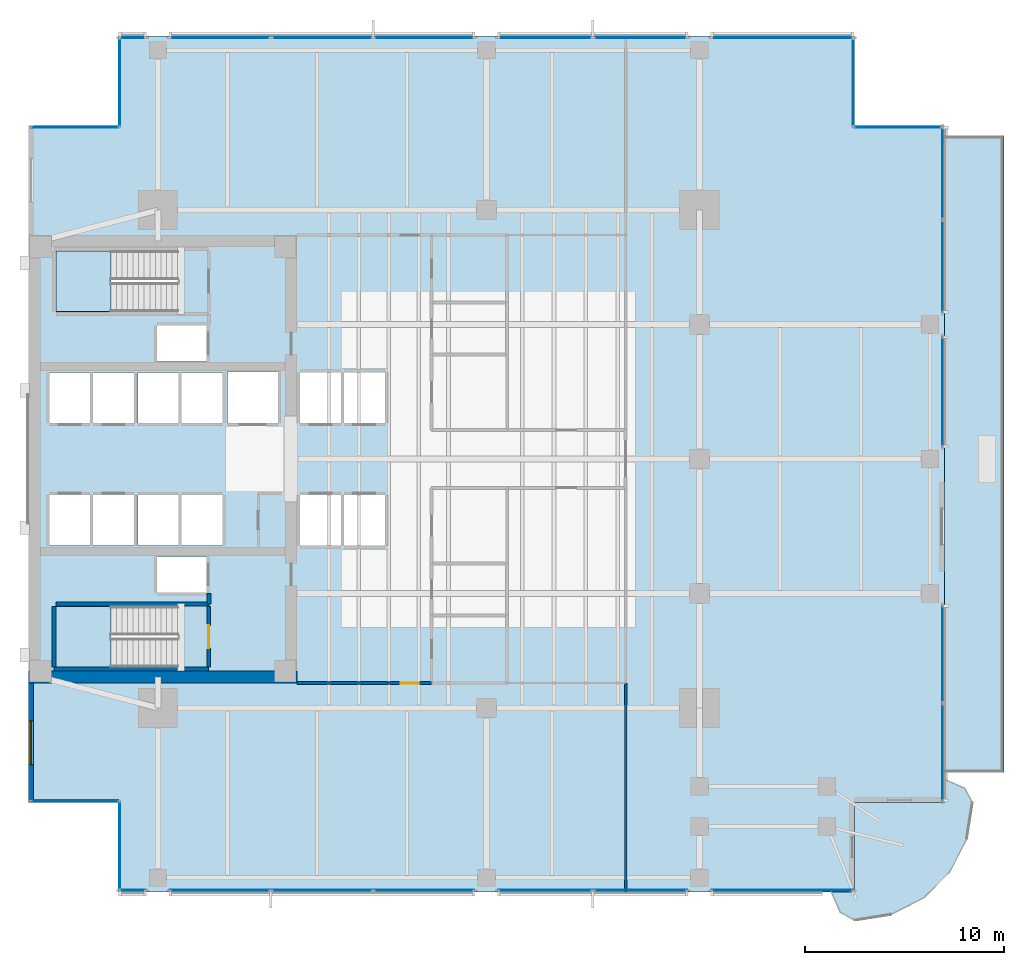
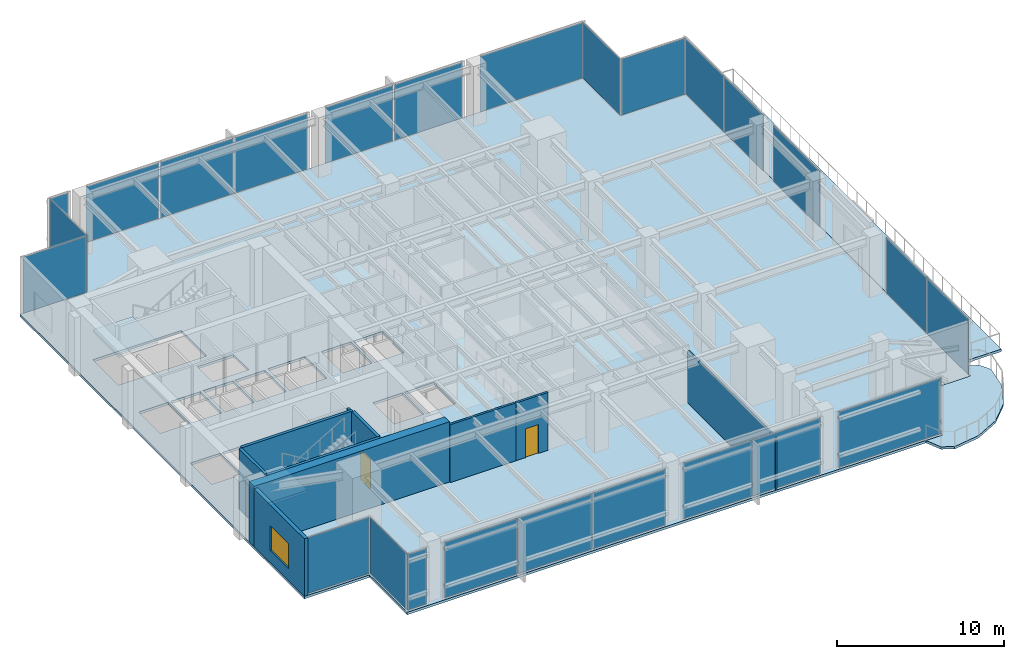
# One storey, part 7 of 14: 25 plates, 10 walls, 5 slabs, 2 doors, 1 window, 3 openings, 19 elements without a shape of their own.
"""IFC4 building model written with IfcOpenShell, lengths in metres."""

from ifc_helpers import new_model, si_unit, direction, frame, frame_2d, origin, origin_2d, place, context, subcontext, project, spatial, polyline, rectangle, outline, extrude, material, layer, layer_set, type_object, element, fill, aggregate, save


model = new_model("IFC4")

# Units and contexts
model_context = context("Model", 3, precision=1e-05, world=origin(), true_north=direction((0.0, 1.0)))
body_context = subcontext(model_context, "Body", "Model", "MODEL_VIEW")
ifc_project = project(units=[si_unit("LENGTHUNIT", "METRE"), si_unit("AREAUNIT", "SQUARE_METRE"), si_unit("VOLUMEUNIT", "CUBIC_METRE"), si_unit("PLANEANGLEUNIT", "RADIAN"), si_unit("MASSUNIT", "GRAM", prefix="KILO")], contexts=[model_context])

# Site, building, storey
site_placement = place(None, origin())
site = spatial("IfcSite", under=ifc_project, at=site_placement, CompositionType="ELEMENT")
building_placement = place(site_placement, origin())
building = spatial("IfcBuilding", under=site, at=building_placement, Name="Kinhvarn Gate Tower", CompositionType="ELEMENT")
storey_placement = place(building_placement, frame((0.0, 0.0, 97.85009765625)))
storey = spatial("IfcBuildingStorey", under=building, at=storey_placement, Name="L25", CompositionType="ELEMENT", Elevation=97.85009765625)

# Curtain wall, plate
ifc_material_1 = material(Name="Anodised aluminium AW-6063", Category="aluminium")
ifc_layer_1 = layer(ifc_material_1, 0.219970703125)
ifc_layer_set_1 = layer_set([ifc_layer_1], Name="Anodised aluminium AW-6063")
curtain_wall_type_1 = type_object("IfcCurtainWallType", Name="CW-SYS-5", PredefinedType="NOTDEFINED", material=ifc_layer_set_1)
curtain_wall_1_placement = place(storey_placement, origin())
curtain_wall_1 = element("IfcCurtainWall", 1, at=curtain_wall_1_placement, inside=storey, type_object=curtain_wall_type_1, Name="Curtain Wall CW5 (L25)", PredefinedType="NOTDEFINED")
ifc_material_2 = material(Name="Clear low-e double glazing", Category="glass")
ifc_layer_2 = layer(ifc_material_2, 0.031982421875)
ifc_layer_set_2 = layer_set([ifc_layer_2], Name="Clear low-e double glazing")
plate_type = type_object("IfcPlateType", Name="CW-PNL-VIS", PredefinedType="CURTAIN_PANEL", material=ifc_layer_set_2)
plate_1_placement = place(storey_placement, frame((9.735107421875, 3.590087890625, 0.079833984375), z_axis=(0.0, 0.0, 1.0), x_axis=(1.0, 0.0, 0.0)))
plate_1 = element("IfcPlate", 2, at=plate_1_placement, type_object=plate_type, Name="CW5 panel 1.1", PredefinedType="CURTAIN_PANEL", context=body_context, shape_type="SweptSolid", body=[
    extrude(rectangle(XDim=1.31005859375, YDim=0.031982421875, at=origin_2d()), origin(), (0.0, 0.0, 1.0), 4.06005859375),
])
aggregate(curtain_wall_1, [plate_1])

# Curtain wall, plates
curtain_wall_2_placement = place(storey_placement, origin())
curtain_wall_2 = element("IfcCurtainWall", 3, at=curtain_wall_2_placement, inside=storey, type_object=curtain_wall_type_1, Name="Curtain Wall CW5 (L25)", PredefinedType="NOTDEFINED")
plate_2_placement = place(storey_placement, frame((14.123291015625, 3.590087890625, 0.079833984375), z_axis=(0.0, 0.0, 1.0), x_axis=(1.0, 0.0, 0.0)))
plate_2 = element("IfcPlate", 4, at=plate_2_placement, type_object=plate_type, Name="CW5 panel 1.1", PredefinedType="CURTAIN_PANEL", context=body_context, shape_type="SweptSolid", body=[
    extrude(rectangle(XDim=5.026611328125, YDim=0.031982421875, at=origin_2d()), origin(), (0.0, 0.0, 1.0), 4.06005859375),
])
plate_3_placement = place(storey_placement, frame((19.25, 3.590087890625, 0.079833984375), z_axis=(0.0, 0.0, 1.0), x_axis=(1.0, 0.0, 0.0)))
plate_3 = element("IfcPlate", 5, at=plate_3_placement, type_object=plate_type, Name="CW5 panel 2.1", PredefinedType="CURTAIN_PANEL", context=body_context, shape_type="SweptSolid", body=[
    extrude(rectangle(XDim=5.066650390625, YDim=0.031982421875, at=origin_2d()), origin(), (0.0, 0.0, 1.0), 4.06005859375),
])
plate_4_placement = place(storey_placement, frame((24.376708984375, 3.590087890625, 0.079833984375), z_axis=(0.0, 0.0, 1.0), x_axis=(1.0, 0.0, 0.0)))
plate_4 = element("IfcPlate", 6, at=plate_4_placement, type_object=plate_type, Name="CW5 panel 3.1", PredefinedType="CURTAIN_PANEL", context=body_context, shape_type="SweptSolid", body=[
    extrude(rectangle(XDim=5.026611328125, YDim=0.031982421875, at=origin_2d()), origin(), (0.0, 0.0, 1.0), 4.06005859375),
])
aggregate(curtain_wall_2, [plate_2, plate_3, plate_4])

curtain_wall_3_placement = place(storey_placement, origin())
curtain_wall_3 = element("IfcCurtainWall", 7, at=curtain_wall_3_placement, inside=storey, type_object=curtain_wall_type_1, Name="Curtain Wall CW5 (L25)", PredefinedType="NOTDEFINED")
plate_5_placement = place(storey_placement, frame((30.4599609375, 3.590087890625, 0.079833984375), z_axis=(0.0, 0.0, 1.0), x_axis=(1.0, 0.0, 0.0)))
plate_5 = element("IfcPlate", 8, at=plate_5_placement, type_object=plate_type, Name="CW5 panel 1.1", PredefinedType="CURTAIN_PANEL", context=body_context, shape_type="SweptSolid", body=[
    extrude(rectangle(XDim=4.699951171875, YDim=0.031982421875, at=origin_2d()), origin(), (0.0, 0.0, 1.0), 4.06005859375),
])
plate_6_placement = place(storey_placement, frame((35.239990234375, 3.590087890625, 0.079833984375), z_axis=(0.0, 0.0, 1.0), x_axis=(1.0, 0.0, 0.0)))
plate_6 = element("IfcPlate", 9, at=plate_6_placement, type_object=plate_type, Name="CW5 panel 2.1", PredefinedType="CURTAIN_PANEL", context=body_context, shape_type="SweptSolid", body=[
    extrude(rectangle(XDim=4.699951171875, YDim=0.031982421875, at=origin_2d()), origin(), (0.0, 0.0, 1.0), 4.06005859375),
])
aggregate(curtain_wall_3, [plate_5, plate_6])

# Curtain wall, plate
curtain_wall_4_placement = place(storey_placement, origin())
curtain_wall_4 = element("IfcCurtainWall", 10, at=curtain_wall_4_placement, inside=storey, type_object=curtain_wall_type_1, Name="Curtain Wall CW5 (L25)", PredefinedType="NOTDEFINED")
plate_7_placement = place(storey_placement, frame((42.364990234375, 3.590087890625, 0.079833984375), z_axis=(0.0, 0.0, 1.0), x_axis=(1.0, 0.0, 0.0)))
plate_7 = element("IfcPlate", 11, at=plate_7_placement, type_object=plate_type, Name="CW5 panel 1.1", PredefinedType="CURTAIN_PANEL", context=body_context, shape_type="SweptSolid", body=[
    extrude(rectangle(XDim=7.110107421875, YDim=0.031982421875, at=origin_2d()), origin(), (0.0, 0.0, 1.0), 4.06005859375),
])
aggregate(curtain_wall_4, [plate_7])

curtain_wall_5_placement = place(storey_placement, origin())
curtain_wall_5 = element("IfcCurtainWall", 12, at=curtain_wall_5_placement, inside=storey, type_object=curtain_wall_type_1, Name="Curtain Wall CW5 (L25)", PredefinedType="NOTDEFINED")
plate_8_placement = place(storey_placement, frame((42.364990234375, 46.409912109375, 0.079833984375), z_axis=(0.0, 0.0, 1.0), x_axis=(-1.0, 0.0, 0.0)))
plate_8 = element("IfcPlate", 13, at=plate_8_placement, type_object=plate_type, Name="CW5 panel 1.1", PredefinedType="CURTAIN_PANEL", context=body_context, shape_type="SweptSolid", body=[
    extrude(rectangle(XDim=7.110107421875, YDim=0.031982421875, at=origin_2d()), origin(), (0.0, 0.0, 1.0), 4.06005859375),
])
aggregate(curtain_wall_5, [plate_8])

# Curtain wall, plates
curtain_wall_6_placement = place(storey_placement, origin())
curtain_wall_6 = element("IfcCurtainWall", 14, at=curtain_wall_6_placement, inside=storey, type_object=curtain_wall_type_1, Name="Curtain Wall CW5 (L25)", PredefinedType="NOTDEFINED")
plate_9_placement = place(storey_placement, frame((35.239990234375, 46.409912109375, 0.079833984375), z_axis=(0.0, 0.0, 1.0), x_axis=(-1.0, 0.0, 0.0)))
plate_9 = element("IfcPlate", 15, at=plate_9_placement, type_object=plate_type, Name="CW5 panel 1.1", PredefinedType="CURTAIN_PANEL", context=body_context, shape_type="SweptSolid", body=[
    extrude(rectangle(XDim=4.699951171875, YDim=0.031982421875, at=origin_2d()), origin(), (0.0, 0.0, 1.0), 4.06005859375),
])
plate_10_placement = place(storey_placement, frame((30.4599609375, 46.409912109375, 0.079833984375), z_axis=(0.0, 0.0, 1.0), x_axis=(-1.0, 0.0, 0.0)))
plate_10 = element("IfcPlate", 16, at=plate_10_placement, type_object=plate_type, Name="CW5 panel 2.1", PredefinedType="CURTAIN_PANEL", context=body_context, shape_type="SweptSolid", body=[
    extrude(rectangle(XDim=4.699951171875, YDim=0.031982421875, at=origin_2d()), origin(), (0.0, 0.0, 1.0), 4.06005859375),
])
aggregate(curtain_wall_6, [plate_9, plate_10])

curtain_wall_7_placement = place(storey_placement, origin())
curtain_wall_7 = element("IfcCurtainWall", 17, at=curtain_wall_7_placement, inside=storey, type_object=curtain_wall_type_1, Name="Curtain Wall CW5 (L25)", PredefinedType="NOTDEFINED")
plate_11_placement = place(storey_placement, frame((24.376708984375, 46.409912109375, 0.079833984375), z_axis=(0.0, 0.0, 1.0), x_axis=(-1.0, 0.0, 0.0)))
plate_11 = element("IfcPlate", 18, at=plate_11_placement, type_object=plate_type, Name="CW5 panel 1.1", PredefinedType="CURTAIN_PANEL", context=body_context, shape_type="SweptSolid", body=[
    extrude(rectangle(XDim=5.026611328125, YDim=0.031982421875, at=origin_2d()), origin(), (0.0, 0.0, 1.0), 4.06005859375),
])
plate_12_placement = place(storey_placement, frame((19.25, 46.409912109375, 0.079833984375), z_axis=(0.0, 0.0, 1.0), x_axis=(-1.0, 0.0, 0.0)))
plate_12 = element("IfcPlate", 19, at=plate_12_placement, type_object=plate_type, Name="CW5 panel 2.1", PredefinedType="CURTAIN_PANEL", context=body_context, shape_type="SweptSolid", body=[
    extrude(rectangle(XDim=5.066650390625, YDim=0.031982421875, at=origin_2d()), origin(), (0.0, 0.0, 1.0), 4.06005859375),
])
plate_13_placement = place(storey_placement, frame((14.123291015625, 46.409912109375, 0.079833984375), z_axis=(0.0, 0.0, 1.0), x_axis=(-1.0, 0.0, 0.0)))
plate_13 = element("IfcPlate", 20, at=plate_13_placement, type_object=plate_type, Name="CW5 panel 3.1", PredefinedType="CURTAIN_PANEL", context=body_context, shape_type="SweptSolid", body=[
    extrude(rectangle(XDim=5.026611328125, YDim=0.031982421875, at=origin_2d()), origin(), (0.0, 0.0, 1.0), 4.06005859375),
])
aggregate(curtain_wall_7, [plate_11, plate_12, plate_13])

# Curtain wall, plate
curtain_wall_8_placement = place(storey_placement, origin())
curtain_wall_8 = element("IfcCurtainWall", 21, at=curtain_wall_8_placement, inside=storey, type_object=curtain_wall_type_1, Name="Curtain Wall CW5 (L25)", PredefinedType="NOTDEFINED")
plate_14_placement = place(storey_placement, frame((9.735107421875, 46.409912109375, 0.079833984375), z_axis=(0.0, 0.0, 1.0), x_axis=(-1.0, 0.0, 0.0)))
plate_14 = element("IfcPlate", 22, at=plate_14_placement, type_object=plate_type, Name="CW5 panel 1.1", PredefinedType="CURTAIN_PANEL", context=body_context, shape_type="SweptSolid", body=[
    extrude(rectangle(XDim=1.31005859375, YDim=0.031982421875, at=origin_2d()), origin(), (0.0, 0.0, 1.0), 4.06005859375),
])
aggregate(curtain_wall_8, [plate_14])

# Curtain wall, plates
curtain_wall_9_placement = place(storey_placement, origin())
curtain_wall_9 = element("IfcCurtainWall", 23, at=curtain_wall_9_placement, inside=storey, type_object=curtain_wall_type_1, Name="Curtain Wall CW5 (L25)", PredefinedType="NOTDEFINED")
plate_15_placement = place(storey_placement, frame((50.409912109375, 10.512451171875, 0.079833984375), z_axis=(0.0, 0.0, 1.0), x_axis=(0.0, 1.0, 0.0)))
plate_15 = element("IfcPlate", 24, at=plate_15_placement, type_object=plate_type, Name="CW5 panel 1.1", PredefinedType="CURTAIN_PANEL", context=body_context, shape_type="SweptSolid", body=[
    extrude(rectangle(XDim=4.864990234375, YDim=0.031982421875, at=origin_2d()), origin(), (0.0, 0.0, 1.0), 4.06005859375),
])
plate_16_placement = place(storey_placement, frame((50.409912109375, 15.45751953125, 0.079833984375), z_axis=(0.0, 0.0, 1.0), x_axis=(0.0, 1.0, 0.0)))
plate_16 = element("IfcPlate", 25, at=plate_16_placement, type_object=plate_type, Name="CW5 panel 2.1", PredefinedType="CURTAIN_PANEL", context=body_context, shape_type="SweptSolid", body=[
    extrude(rectangle(XDim=4.864990234375, YDim=0.031982421875, at=origin_2d()), origin(), (0.0, 0.0, 1.0), 4.06005859375),
])
aggregate(curtain_wall_9, [plate_15, plate_16])

# Curtain wall, plate
curtain_wall_10_placement = place(storey_placement, origin())
curtain_wall_10 = element("IfcCurtainWall", 26, at=curtain_wall_10_placement, inside=storey, type_object=curtain_wall_type_1, Name="Curtain Wall CW5 (L25)", PredefinedType="NOTDEFINED")
plate_17_placement = place(storey_placement, frame((50.409912109375, 28.625, 0.079833984375), z_axis=(0.0, 0.0, 1.0), x_axis=(0.0, 1.0, 0.0)))
plate_17 = element("IfcPlate", 27, at=plate_17_placement, type_object=plate_type, Name="CW5 panel 1.1", PredefinedType="CURTAIN_PANEL", context=body_context, shape_type="SweptSolid", body=[
    extrude(rectangle(XDim=5.530029296875, YDim=0.031982421875, at=origin_2d()), origin(), (0.0, 0.0, 1.0), 4.06005859375),
])
aggregate(curtain_wall_10, [plate_17])

# Curtain wall, plates
curtain_wall_11_placement = place(storey_placement, origin())
curtain_wall_11 = element("IfcCurtainWall", 28, at=curtain_wall_11_placement, inside=storey, type_object=curtain_wall_type_1, Name="Curtain Wall CW5 (L25)", PredefinedType="NOTDEFINED")
plate_18_placement = place(storey_placement, frame((50.409912109375, 34.91748046875, 0.079833984375), z_axis=(0.0, 0.0, 1.0), x_axis=(0.0, 1.0, 0.0)))
plate_18 = element("IfcPlate", 29, at=plate_18_placement, type_object=plate_type, Name="CW5 panel 1.1", PredefinedType="CURTAIN_PANEL", context=body_context, shape_type="SweptSolid", body=[
    extrude(rectangle(XDim=4.614990234375, YDim=0.031982421875, at=origin_2d()), origin(), (0.0, 0.0, 1.0), 4.06005859375),
])
plate_19_placement = place(storey_placement, frame((50.409912109375, 39.612548828125, 0.079833984375), z_axis=(0.0, 0.0, 1.0), x_axis=(0.0, 1.0, 0.0)))
plate_19 = element("IfcPlate", 30, at=plate_19_placement, type_object=plate_type, Name="CW5 panel 2.1", PredefinedType="CURTAIN_PANEL", context=body_context, shape_type="SweptSolid", body=[
    extrude(rectangle(XDim=4.614990234375, YDim=0.031982421875, at=origin_2d()), origin(), (0.0, 0.0, 1.0), 4.06005859375),
])
aggregate(curtain_wall_11, [plate_18, plate_19])

# Curtain wall, plate
ifc_layer_3 = layer(ifc_material_1, 0.179931640625)
ifc_layer_set_3 = layer_set([ifc_layer_3], Name="Anodised aluminium AW-6063")
curtain_wall_type_2 = type_object("IfcCurtainWallType", Name="CW-SYS-4", PredefinedType="NOTDEFINED", material=ifc_layer_set_3)
curtain_wall_12_placement = place(storey_placement, origin())
curtain_wall_12 = element("IfcCurtainWall", 31, at=curtain_wall_12_placement, inside=storey, type_object=curtain_wall_type_2, Name="Curtain Wall CW4 (L25)", PredefinedType="NOTDEFINED")
plate_20_placement = place(storey_placement, frame((6.840087890625, 8.090087890625, 0.06494140625), z_axis=(0.0, 0.0, 1.0), x_axis=(1.0, 0.0, 0.0)))
plate_20 = element("IfcPlate", 32, at=plate_20_placement, type_object=plate_type, Name="CW4 panel 1.1", PredefinedType="CURTAIN_PANEL", context=body_context, shape_type="SweptSolid", body=[
    extrude(rectangle(XDim=4.3701171875, YDim=0.031982421875, at=origin_2d()), origin(), (0.0, 0.0, 1.0), 4.090087890625),
])
aggregate(curtain_wall_12, [plate_20])

curtain_wall_13_placement = place(storey_placement, origin())
curtain_wall_13 = element("IfcCurtainWall", 33, at=curtain_wall_13_placement, inside=storey, type_object=curtain_wall_type_2, Name="Curtain Wall CW4 (L25)", PredefinedType="NOTDEFINED")
plate_21_placement = place(storey_placement, frame((9.090087890625, 5.840087890625, 0.06494140625), z_axis=(0.0, 0.0, 1.0), x_axis=(0.0, -1.0, 0.0)))
plate_21 = element("IfcPlate", 34, at=plate_21_placement, type_object=plate_type, Name="CW4 panel 1.1", PredefinedType="CURTAIN_PANEL", context=body_context, shape_type="SweptSolid", body=[
    extrude(rectangle(XDim=4.3701171875, YDim=0.031982421875, at=origin_2d()), origin(), (0.0, 0.0, 1.0), 4.090087890625),
])
aggregate(curtain_wall_13, [plate_21])

curtain_wall_14_placement = place(storey_placement, origin())
curtain_wall_14 = element("IfcCurtainWall", 35, at=curtain_wall_14_placement, inside=storey, type_object=curtain_wall_type_2, Name="Curtain Wall CW4 (L25)", PredefinedType="NOTDEFINED")
plate_22_placement = place(storey_placement, frame((48.159912109375, 41.909912109375, 0.06494140625), z_axis=(0.0, 0.0, 1.0), x_axis=(-1.0, 0.0, 0.0)))
plate_22 = element("IfcPlate", 36, at=plate_22_placement, type_object=plate_type, Name="CW4 panel 1.1", PredefinedType="CURTAIN_PANEL", context=body_context, shape_type="SweptSolid", body=[
    extrude(rectangle(XDim=4.3701171875, YDim=0.031982421875, at=origin_2d()), origin(), (0.0, 0.0, 1.0), 4.090087890625),
])
aggregate(curtain_wall_14, [plate_22])

curtain_wall_15_placement = place(storey_placement, origin())
curtain_wall_15 = element("IfcCurtainWall", 37, at=curtain_wall_15_placement, inside=storey, type_object=curtain_wall_type_2, Name="Curtain Wall CW4 (L25)", PredefinedType="NOTDEFINED")
plate_23_placement = place(storey_placement, frame((45.909912109375, 44.159912109375, 0.06494140625), z_axis=(0.0, 0.0, 1.0), x_axis=(0.0, 1.0, 0.0)))
plate_23 = element("IfcPlate", 38, at=plate_23_placement, type_object=plate_type, Name="CW4 panel 1.1", PredefinedType="CURTAIN_PANEL", context=body_context, shape_type="SweptSolid", body=[
    extrude(rectangle(XDim=4.3701171875, YDim=0.031982421875, at=origin_2d()), origin(), (0.0, 0.0, 1.0), 4.090087890625),
])
aggregate(curtain_wall_15, [plate_23])

curtain_wall_16_placement = place(storey_placement, origin())
curtain_wall_16 = element("IfcCurtainWall", 39, at=curtain_wall_16_placement, inside=storey, type_object=curtain_wall_type_2, Name="Curtain Wall CW4 (L25)", PredefinedType="NOTDEFINED")
plate_24_placement = place(storey_placement, frame((9.090087890625, 44.159912109375, 0.06494140625), z_axis=(0.0, 0.0, 1.0), x_axis=(0.0, -1.0, 0.0)))
plate_24 = element("IfcPlate", 40, at=plate_24_placement, type_object=plate_type, Name="CW4 panel 1.1", PredefinedType="CURTAIN_PANEL", context=body_context, shape_type="SweptSolid", body=[
    extrude(rectangle(XDim=4.3701171875, YDim=0.031982421875, at=origin_2d()), origin(), (0.0, 0.0, 1.0), 4.090087890625),
])
aggregate(curtain_wall_16, [plate_24])

curtain_wall_17_placement = place(storey_placement, origin())
curtain_wall_17 = element("IfcCurtainWall", 41, at=curtain_wall_17_placement, inside=storey, type_object=curtain_wall_type_2, Name="Curtain Wall CW4 (L25)", PredefinedType="NOTDEFINED")
plate_25_placement = place(storey_placement, frame((6.840087890625, 41.909912109375, 0.06494140625), z_axis=(0.0, 0.0, 1.0), x_axis=(-1.0, 0.0, 0.0)))
plate_25 = element("IfcPlate", 42, at=plate_25_placement, type_object=plate_type, Name="CW4 panel 1.1", PredefinedType="CURTAIN_PANEL", context=body_context, shape_type="SweptSolid", body=[
    extrude(rectangle(XDim=4.3701171875, YDim=0.031982421875, at=origin_2d()), origin(), (0.0, 0.0, 1.0), 4.090087890625),
])
aggregate(curtain_wall_17, [plate_25])

# Slabs
ifc_material_3 = material(Name="Precast white architectural concrete C40/50", Category="concrete")
ifc_layer_4 = layer(ifc_material_3, 0.179931640625)
ifc_layer_set_4 = layer_set([ifc_layer_4], Name="Precast white architectural concrete C40/50")
slab_type_1 = type_object("IfcSlabType", Name="SLB-BAL-180", PredefinedType="FLOOR", material=ifc_layer_set_4)
slab_1_placement = place(storey_placement, frame((0.0, 0.0, -0.18017578125)))
element("IfcSlab", 43, at=slab_1_placement, inside=storey, type_object=slab_type_1, Name="S-Carve Curved Terrace Balcony Slab L25 (SE)", PredefinedType="FLOOR", context=body_context, shape_type="SweptSolid", body=[
    extrude(outline(polyline([(44.8291015625, 3.5), (45.279052734375, 2.4833984375), (46.0, 2.087890625), (47.826904296875, 2.37744140625), (49.47509765625, 3.217041015625), (50.782958984375, 4.52490234375), (51.62255859375, 6.173095703125), (51.912109375, 8.0), (51.5166015625, 8.720947265625), (50.5, 9.1708984375), (50.5, 8.0), (46.0, 8.0), (46.0, 3.5), (44.8291015625, 3.5)])), origin(), (0.0, 0.0, 1.0), 0.18017578125),
])
ifc_material_4 = material(Name="Concrete C40/50", Category="concrete")
ifc_layer_5 = layer(ifc_material_4, 0.179931640625)
ifc_layer_set_5 = layer_set([ifc_layer_5], Name="Concrete C40/50")
slab_type_2 = type_object("IfcSlabType", Name="SLB-FLR-180", PredefinedType="FLOOR", material=ifc_layer_set_5)
slab_2_placement = place(storey_placement, frame((0.0, 0.0, -0.18017578125)))
element("IfcSlab", 44, at=slab_2_placement, inside=storey, type_object=slab_type_2, Name="Suspended Floor Slab L25", PredefinedType="FLOOR", context=body_context, shape_type="SweptSolid", body=[
    extrude(outline(polyline([(9.0, 3.5), (46.0, 3.5), (46.0, 8.0), (50.5, 8.0), (50.5, 42.0), (46.0, 42.0), (46.0, 46.5), (9.0, 46.5), (9.0, 42.0), (4.5, 42.0), (4.5, 8.0), (9.0, 8.0), (9.0, 3.5)]), holes=[polyline([(5.89990234375, 14.800048828125), (12.0, 14.800048828125), (12.0, 17.85009765625), (5.89990234375, 17.85009765625), (5.89990234375, 14.800048828125)]), polyline([(5.89990234375, 32.64990234375), (12.0, 32.64990234375), (12.0, 35.699951171875), (5.89990234375, 35.699951171875), (5.89990234375, 32.64990234375)]), polyline([(18.14990234375, 20.89990234375), (20.199951171875, 20.89990234375), (20.199951171875, 23.449951171875), (18.14990234375, 23.449951171875), (18.14990234375, 20.89990234375)]), polyline([(20.35009765625, 20.89990234375), (22.39990234375, 20.89990234375), (22.39990234375, 23.449951171875), (20.35009765625, 23.449951171875), (20.35009765625, 20.89990234375)]), polyline([(18.14990234375, 27.050048828125), (20.199951171875, 27.050048828125), (20.199951171875, 29.60009765625), (18.14990234375, 29.60009765625), (18.14990234375, 27.050048828125)]), polyline([(20.35009765625, 27.050048828125), (22.39990234375, 27.050048828125), (22.39990234375, 29.60009765625), (20.35009765625, 29.60009765625), (20.35009765625, 27.050048828125)]), polyline([(5.550048828125, 20.89990234375), (7.60009765625, 20.89990234375), (7.60009765625, 23.449951171875), (5.550048828125, 23.449951171875), (5.550048828125, 20.89990234375)]), polyline([(7.75, 20.89990234375), (9.800048828125, 20.89990234375), (9.800048828125, 23.449951171875), (7.75, 23.449951171875), (7.75, 20.89990234375)]), polyline([(5.550048828125, 27.050048828125), (7.60009765625, 27.050048828125), (7.60009765625, 29.60009765625), (5.550048828125, 29.60009765625), (5.550048828125, 27.050048828125)]), polyline([(7.75, 27.050048828125), (9.800048828125, 27.050048828125), (9.800048828125, 29.60009765625), (7.75, 29.60009765625), (7.75, 27.050048828125)]), polyline([(10.0, 20.89990234375), (12.050048828125, 20.89990234375), (12.050048828125, 23.449951171875), (10.0, 23.449951171875), (10.0, 20.89990234375)]), polyline([(12.199951171875, 20.89990234375), (14.25, 20.89990234375), (14.25, 23.449951171875), (12.199951171875, 23.449951171875), (12.199951171875, 20.89990234375)]), polyline([(10.0, 27.050048828125), (12.050048828125, 27.050048828125), (12.050048828125, 29.60009765625), (10.0, 29.60009765625), (10.0, 27.050048828125)]), polyline([(12.199951171875, 27.050048828125), (14.25, 27.050048828125), (14.25, 29.60009765625), (12.199951171875, 29.60009765625), (12.199951171875, 27.050048828125)]), polyline([(14.5, 27.050048828125), (17.050048828125, 27.050048828125), (17.050048828125, 29.64990234375), (14.5, 29.64990234375), (14.5, 27.050048828125)]), polyline([(10.949951171875, 18.550048828125), (13.449951171875, 18.550048828125), (13.449951171875, 20.35009765625), (10.949951171875, 20.35009765625), (10.949951171875, 18.550048828125)]), polyline([(10.949951171875, 30.14990234375), (13.449951171875, 30.14990234375), (13.449951171875, 31.949951171875), (10.949951171875, 31.949951171875), (10.949951171875, 30.14990234375)])]), origin(), (0.0, 0.0, 1.0), 0.18017578125),
])

# Stair, slab
stair_type = type_object("IfcStairType", Name="STR-DLG-169", PredefinedType="HALF_TURN_STAIR", material=ifc_material_4)
stair_1_placement = place(storey_placement, origin())
stair_1 = element("IfcStair", 45, at=stair_1_placement, inside=storey, type_object=stair_type, Name="L25 Core Smokeproof Exit Stair ST1", PredefinedType="HALF_TURN_STAIR")
ifc_layer_6 = layer(ifc_material_4, 0.199951171875)
ifc_layer_set_6 = layer_set([ifc_layer_6], Name="Concrete C40/50")
slab_type_3 = type_object("IfcSlabType", Name="SLB-ST-LND", PredefinedType="LANDING", material=ifc_layer_set_6)
slab_3_placement = place(storey_placement, frame((0.0, 0.0, 2.0)))
slab_3 = element("IfcSlab", 46, at=slab_3_placement, type_object=slab_type_3, Name="ST1 landing 1", PredefinedType="LANDING", context=body_context, shape_type="SweptSolid", body=[
    extrude(outline(polyline([(8.639892578125, 17.85009765625), (5.89990234375, 17.85009765625), (5.89990234375, 14.800048828125), (8.639892578125, 14.800048828125), (8.639892578125, 17.85009765625)])), origin(), (0.0, 0.0, 1.0), 0.199951171875),
])
aggregate(stair_1, [slab_3])

stair_2_placement = place(storey_placement, origin())
stair_2 = element("IfcStair", 47, at=stair_2_placement, inside=storey, type_object=stair_type, Name="L25 Core Smokeproof Exit Stair ST2", PredefinedType="HALF_TURN_STAIR")
slab_4_placement = place(storey_placement, frame((0.0, 0.0, 2.0)))
slab_4 = element("IfcSlab", 48, at=slab_4_placement, type_object=slab_type_3, Name="ST2 landing 1", PredefinedType="LANDING", context=body_context, shape_type="SweptSolid", body=[
    extrude(outline(polyline([(8.639892578125, 35.699951171875), (5.89990234375, 35.699951171875), (5.89990234375, 32.64990234375), (8.639892578125, 32.64990234375), (8.639892578125, 35.699951171875)])), origin(), (0.0, 0.0, 1.0), 0.199951171875),
])
aggregate(stair_2, [slab_4])

# Slab
ifc_layer_7 = layer(ifc_material_4, 0.179931640625)
ifc_layer_set_7 = layer_set([ifc_layer_7], Name="Concrete C40/50")
slab_type_4 = type_object("IfcSlabType", Name="SLB-TER-180", PredefinedType="ROOF", material=ifc_layer_set_7)
slab_5_placement = place(storey_placement, frame((0.0, 0.0, -0.18017578125)))
element("IfcSlab", 49, at=slab_5_placement, inside=storey, type_object=slab_type_4, Name="Low-Mid Sky-Lobby Setback Terrace Roof Slab L25", PredefinedType="ROOF", context=body_context, shape_type="SweptSolid", body=[
    extrude(outline(polyline([(50.5, 9.5), (53.5, 9.5), (53.5, 41.5), (50.5, 41.5), (50.5, 9.5)])), origin(), (0.0, 0.0, 1.0), 0.18017578125),
])

# Wall
ifc_material_5 = material(Name="Concrete C60/75", Category="concrete")
ifc_layer_8 = layer(ifc_material_5, 0.60009765625)
ifc_layer_set_8 = layer_set([ifc_layer_8], Name="Concrete C60/75")
wall_type_1 = type_object("IfcWallType", Name="WL-CORE-600", PredefinedType="SHEAR", material=ifc_layer_set_8)
wall_1_placement = place(storey_placement, frame((4.5, 14.300048828125, 0.0), z_axis=(0.0, 0.0, 1.0), x_axis=(1.0, 0.0, 0.0)))
element("IfcWall", 50, at=wall_1_placement, inside=storey, type_object=wall_type_1, Name="Core South Shear Wall L25 600 mm", PredefinedType="SHEAR", context=body_context, shape_type="SweptSolid", body=[
    extrude(rectangle(XDim=13.5, YDim=0.60009765625, at=frame_2d((6.75, 0.0))), origin(), (0.0, 0.0, 1.0), 4.39990234375),
])

# Wall, opening, window
ifc_material_6 = material(Name="Fired architectural terracotta", Category="masonry")
ifc_layer_9 = layer(ifc_material_6, 0.25)
ifc_layer_set_9 = layer_set([ifc_layer_9], Name="Fired architectural terracotta")
wall_type_2 = type_object("IfcWallType", Name="WL-EXT-250", PredefinedType="SOLIDWALL", material=ifc_layer_set_9)
wall_2_placement = place(storey_placement, frame((4.625, 14.0, 0.0), z_axis=(0.0, 0.0, 1.0), x_axis=(0.0, -1.0, 0.0)))
wall_2 = element("IfcWall", 51, at=wall_2_placement, inside=storey, type_object=wall_type_2, Name="Exterior Solidwall Wall EW-250 (L25 West-South)", PredefinedType="SOLIDWALL", context=body_context, shape_type="SweptSolid", body=[
    extrude(rectangle(XDim=6.0, YDim=0.25, at=frame_2d((3.0, 0.0))), origin(), (0.0, 0.0, 1.0), 4.219970703125),
])
opening_1_placement = place(wall_2_placement, frame((1.89990234375, 0.0, 0.89990234375)))
opening_1 = element("IfcOpeningElement", 52, at=opening_1_placement, cuts=wall_2, Name="Opening WN-01", PredefinedType="OPENING", context=body_context, shape_type="SweptSolid", body=[
    extrude(rectangle(XDim=2.199951171875, YDim=1.800048828125, at=frame_2d((1.10009765625, 0.89990234375))), frame((0.0, 0.135009765625, 0.0), z_axis=(0.0, -1.0, 0.0), x_axis=(1.0, 0.0, 0.0)), (0.0, 0.0, 1.0), 0.27001953125),
])
window_type = type_object("IfcWindowType", Name="WIN-RIB-2200", PartitioningType="SINGLE_PANEL", PredefinedType="WINDOW", material=ifc_material_2)
window_placement = place(opening_1_placement, origin())
window = element("IfcWindow", 53, at=window_placement, inside=storey, type_object=window_type, Name="West Flank Double-Glazed Ribbon Window 2200x1800 mm (L25)", OverallHeight=1.800048828125, OverallWidth=2.199951171875, PartitioningType="SINGLE_PANEL", PredefinedType="WINDOW", context=body_context, shape_type="SweptSolid", body=[
    extrude(rectangle(XDim=2.199951171875, YDim=1.800048828125, at=frame_2d((1.10009765625, 0.89990234375))), frame((0.0, 0.030029296875, 0.0), z_axis=(0.0, -1.0, 0.0), x_axis=(1.0, 0.0, 0.0)), (0.0, 0.0, 1.0), 0.06005859375),
])
fill(opening_1, window)

# Walls
ifc_material_7 = material(Name="Gypsum acoustic partition board")
ifc_layer_10 = layer(ifc_material_7, 0.1201171875)
ifc_layer_set_10 = layer_set([ifc_layer_10], Name="Gypsum acoustic partition board")
wall_type_3 = type_object("IfcWallType", Name="WL-PRT-120", PredefinedType="PARTITIONING", material=ifc_layer_set_10)
wall_3_placement = place(storey_placement, frame((34.5, 3.510009765625, 0.0), z_axis=(0.0, 0.0, 1.0), x_axis=(0.0, 1.0, 0.0)))
element("IfcWall", 54, at=wall_3_placement, inside=storey, type_object=wall_type_3, Name="Interior Partition PW-120 (L25)", PredefinedType="PARTITIONING", context=body_context, shape_type="SweptSolid", body=[
    extrude(rectangle(XDim=10.489990234375, YDim=0.1201171875, at=frame_2d((5.2451171875, 0.0))), origin(), (0.0, 0.0, 1.0), 3.81982421875),
])
ifc_layer_11 = layer(ifc_material_7, 0.14990234375)
ifc_layer_set_11 = layer_set([ifc_layer_11], Name="Gypsum acoustic partition board")
wall_type_4 = type_object("IfcWallType", Name="WL-PRT-150F", PredefinedType="PARTITIONING", material=ifc_layer_set_11)
wall_4_placement = place(storey_placement, frame((18.0, 14.0, 0.0), z_axis=(0.0, 0.0, 1.0), x_axis=(1.0, 0.0, 0.0)))
element("IfcWall", 55, at=wall_4_placement, inside=storey, type_object=wall_type_4, Name="Interior Partition PW-150F (L25)", PredefinedType="PARTITIONING", context=body_context, shape_type="SweptSolid", body=[
    extrude(rectangle(XDim=4.550048828125, YDim=0.14990234375, at=frame_2d((2.27490234375, 0.0))), origin(), (0.0, 0.0, 1.0), 4.219970703125),
])

# Wall, opening, door
wall_5_placement = place(storey_placement, frame((22.550048828125, 14.0, 0.0), z_axis=(0.0, 0.0, 1.0), x_axis=(1.0, 0.0, 0.0)))
wall_5 = element("IfcWall", 56, at=wall_5_placement, inside=storey, type_object=wall_type_4, Name="Interior Partition PW-150F (L25)", PredefinedType="PARTITIONING", context=body_context, shape_type="SweptSolid", body=[
    extrude(rectangle(XDim=2.199951171875, YDim=0.14990234375, at=frame_2d((1.10009765625, 0.0))), origin(), (0.0, 0.0, 1.0), 4.219970703125),
])
opening_2_placement = place(wall_5_placement, frame((0.64990234375, 0.0, 0.0)))
opening_2 = element("IfcOpeningElement", 57, at=opening_2_placement, cuts=wall_5, Name="Opening ID-03", PredefinedType="OPENING", context=body_context, shape_type="SweptSolid", body=[
    extrude(rectangle(XDim=0.89990234375, YDim=2.10009765625, at=frame_2d((0.449951171875, 1.050048828125))), frame((0.0, 0.0849609375, 0.0), z_axis=(0.0, -1.0, 0.0), x_axis=(1.0, 0.0, 0.0)), (0.0, 0.0, 1.0), 0.169921875),
])
door_type_1 = type_object("IfcDoorType", Name="DR-INT-900", OperationType="NOTDEFINED", PredefinedType="DOOR", material=ifc_material_1)
door_1_placement = place(opening_2_placement, origin())
door_1 = element("IfcDoor", 58, at=door_1_placement, inside=storey, type_object=door_type_1, Name="Cellular Office & Restroom Door 900x2100 mm (L25)", OperationType="SINGLE_SWING_LEFT", OverallHeight=2.10009765625, OverallWidth=0.89990234375, PredefinedType="DOOR", context=body_context, shape_type="SweptSolid", body=[
    extrude(rectangle(XDim=0.89990234375, YDim=2.10009765625, at=frame_2d((0.449951171875, 1.050048828125))), frame((0.0, 0.02490234375, 0.0), z_axis=(0.0, -1.0, 0.0), x_axis=(1.0, 0.0, 0.0)), (0.0, 0.0, 1.0), 0.050048828125),
])
fill(opening_2, door_1)

# Walls
ifc_layer_12 = layer(ifc_material_7, 0.199951171875)
ifc_layer_set_12 = layer_set([ifc_layer_12], Name="Gypsum acoustic partition board")
wall_type_5 = type_object("IfcWallType", Name="WL-PRT-200", PredefinedType="PARTITIONING", material=ifc_layer_set_12)
wall_6_placement = place(storey_placement, frame((13.580078125, 17.9599609375, 0.0), z_axis=(0.0, 0.0, 1.0), x_axis=(0.0, 1.0, 0.0)))
element("IfcWall", 59, at=wall_6_placement, inside=storey, type_object=wall_type_5, Name="Interior Partition PW-200 (L25)", PredefinedType="PARTITIONING", context=body_context, shape_type="SweptSolid", body=[
    extrude(rectangle(XDim=0.5400390625, YDim=0.199951171875, at=frame_2d((0.27001953125, 0.0))), origin(), (0.0, 0.0, 1.0), 4.219970703125),
])
ifc_layer_13 = layer(ifc_material_4, 0.199951171875)
ifc_layer_set_13 = layer_set([ifc_layer_13], Name="Concrete C40/50")
wall_type_6 = type_object("IfcWallType", Name="WL-SHF-200", PredefinedType="SOLIDWALL", material=ifc_layer_set_13)
wall_7_placement = place(storey_placement, frame((5.800048828125, 14.699951171875, 0.0), z_axis=(0.0, 0.0, 1.0), x_axis=(1.0, 0.0, 0.0)))
element("IfcWall", 60, at=wall_7_placement, inside=storey, type_object=wall_type_6, Name="Stair ST1 South Shaft Wall (L25)", PredefinedType="SOLIDWALL", context=body_context, shape_type="SweptSolid", body=[
    extrude(rectangle(XDim=7.75, YDim=0.199951171875, at=frame_2d((3.875, 0.0))), origin(), (0.0, 0.0, 1.0), 4.39990234375),
])
wall_8_placement = place(storey_placement, frame((5.7900390625, 14.800048828125, 0.0), z_axis=(0.0, 0.0, 1.0), x_axis=(0.0, 1.0, 0.0)))
element("IfcWall", 61, at=wall_8_placement, inside=storey, type_object=wall_type_6, Name="Stair ST1 West Shaft Wall (L25)", PredefinedType="SOLIDWALL", context=body_context, shape_type="SweptSolid", body=[
    extrude(rectangle(XDim=3.050048828125, YDim=0.199951171875, at=frame_2d((1.52490234375, 0.0))), origin(), (0.0, 0.0, 1.0), 4.39990234375),
])
wall_9_placement = place(storey_placement, frame((5.89990234375, 17.9599609375, 0.0), z_axis=(0.0, 0.0, 1.0), x_axis=(1.0, 0.0, 0.0)))
element("IfcWall", 62, at=wall_9_placement, inside=storey, type_object=wall_type_6, Name="Stair ST1 North Shaft Wall (L25)", PredefinedType="SOLIDWALL", context=body_context, shape_type="SweptSolid", body=[
    extrude(rectangle(XDim=7.66015625, YDim=0.199951171875, at=frame_2d((3.830078125, 0.0))), origin(), (0.0, 0.0, 1.0), 4.39990234375),
])

# Wall, opening, door
wall_10_placement = place(storey_placement, frame((13.56005859375, 14.800048828125, 0.0), z_axis=(0.0, 0.0, 1.0), x_axis=(0.0, 1.0, 0.0)))
wall_10 = element("IfcWall", 63, at=wall_10_placement, inside=storey, type_object=wall_type_6, Name="Stair ST1 East Entry Wall (L25)", PredefinedType="SOLIDWALL", context=body_context, shape_type="SweptSolid", body=[
    extrude(rectangle(XDim=3.050048828125, YDim=0.199951171875, at=frame_2d((1.52490234375, 0.0))), origin(), (0.0, 0.0, 1.0), 4.39990234375),
])
opening_3_placement = place(wall_10_placement, frame((0.949951171875, 0.0, 0.0)))
opening_3 = element("IfcOpeningElement", 64, at=opening_3_placement, cuts=wall_10, Name="Opening FD-01", PredefinedType="OPENING", context=body_context, shape_type="SweptSolid", body=[
    extrude(rectangle(XDim=1.14990234375, YDim=2.14990234375, at=frame_2d((0.574951171875, 1.074951171875))), frame((0.0, 0.10986328125, 0.0), z_axis=(0.0, -1.0, 0.0), x_axis=(1.0, 0.0, 0.0)), (0.0, 0.0, 1.0), 0.219970703125),
])
door_type_2 = type_object("IfcDoorType", Name="DR-ST-1150", OperationType="NOTDEFINED", PredefinedType="DOOR", material=ifc_material_1)
door_2_placement = place(opening_3_placement, origin())
door_2 = element("IfcDoor", 65, at=door_2_placement, inside=storey, type_object=door_type_2, Name="Exit Stair ST1 Fire Door (L25)", OperationType="SINGLE_SWING_LEFT", OverallHeight=2.14990234375, OverallWidth=1.14990234375, PredefinedType="DOOR", context=body_context, shape_type="SweptSolid", body=[
    extrude(rectangle(XDim=1.14990234375, YDim=2.14990234375, at=frame_2d((0.574951171875, 1.074951171875))), frame((0.0, 0.02490234375, 0.0), z_axis=(0.0, -1.0, 0.0), x_axis=(1.0, 0.0, 0.0)), (0.0, 0.0, 1.0), 0.050048828125),
])
fill(opening_3, door_2)

save(model, "model.ifc")
